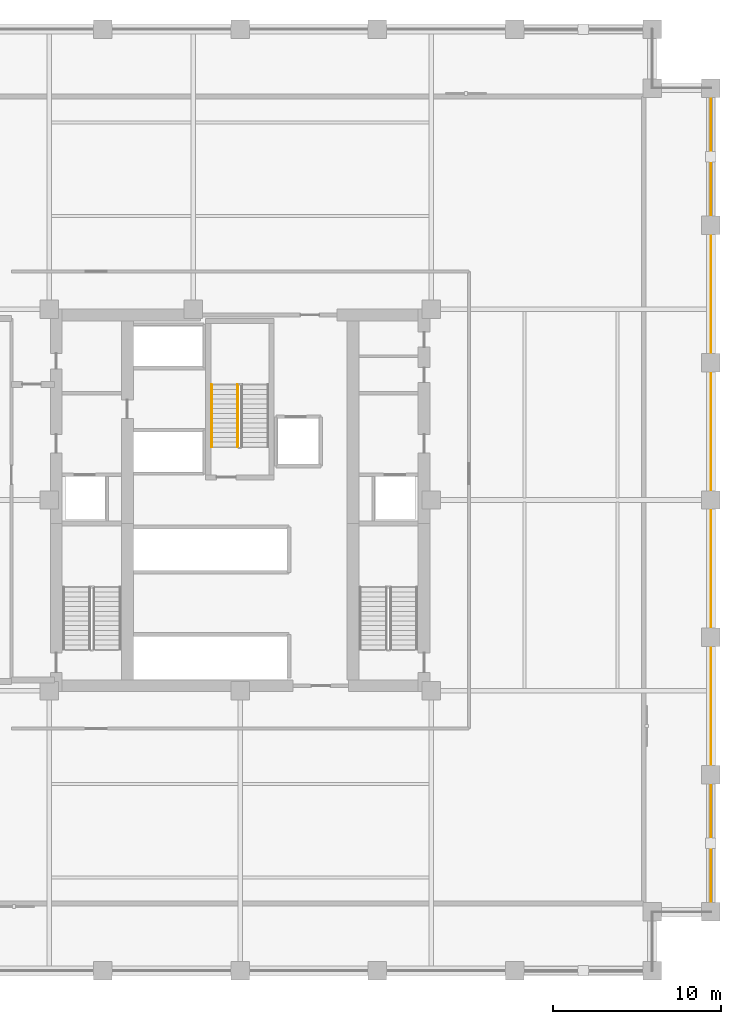
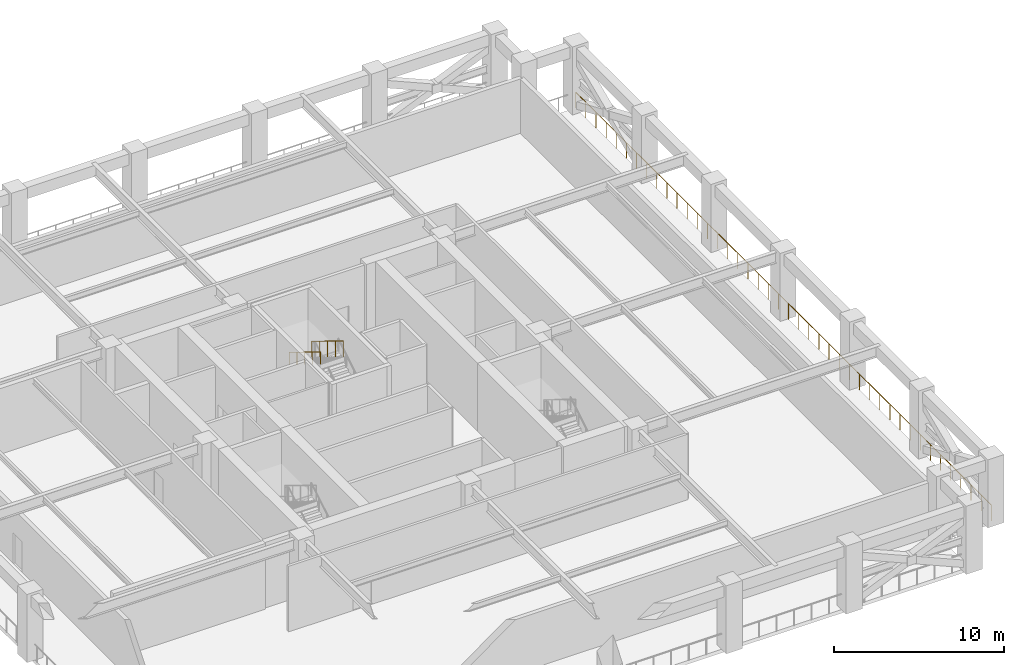
# One storey, part 9 of 11: 3 railings.
"""IFC4 building model written with IfcOpenShell, lengths in metres."""

from ifc_helpers import new_model, si_unit, direction, frame, origin, origin_2d, place, context, subcontext, project, spatial, circle, extrude, material, type_object, element, save


model = new_model("IFC4")

# Units and contexts
model_context = context("Model", 3, precision=1e-05, world=origin(), true_north=direction((0.0, 1.0)))
body_context = subcontext(model_context, "Body", "Model", "MODEL_VIEW")
ifc_project = project(units=[si_unit("LENGTHUNIT", "METRE"), si_unit("AREAUNIT", "SQUARE_METRE"), si_unit("VOLUMEUNIT", "CUBIC_METRE"), si_unit("PLANEANGLEUNIT", "RADIAN"), si_unit("MASSUNIT", "GRAM", prefix="KILO")], contexts=[model_context])

# Site, building, storey
site_placement = place(None, origin())
site = spatial("IfcSite", under=ifc_project, at=site_placement, CompositionType="ELEMENT")
building_placement = place(site_placement, origin())
building = spatial("IfcBuilding", under=site, at=building_placement, Name="Nhamokura Convention Tower", CompositionType="ELEMENT")
storey_placement = place(building_placement, frame((0.0, 0.0, 77.35009765625)))
storey = spatial("IfcBuildingStorey", under=building, at=storey_placement, Name="L18", CompositionType="ELEMENT", Elevation=77.35009765625)

# Railings
ifc_material_1 = material(Name="Anodised bronze stainless steel", Category="steel")
railing_type_1 = type_object("IfcRailingType", Name="StairWallHandrail_900", PredefinedType="HANDRAIL", material=ifc_material_1)
railing_1_placement = place(storey_placement, frame((30.300048828125, 38.85498046875, 2.625)))
element("IfcRailing", 1, at=railing_1_placement, inside=storey, type_object=railing_type_1, Name="L18 ST-03 stair handrail 2", PredefinedType="HANDRAIL", context=body_context, shape_type="SweptSolid", body=[
    extrude(circle(Radius=0.02392578125, at=origin_2d()), frame((0.0, 0.0, 0.8759765625), z_axis=(0.0, -0.85218616116, 0.523238709126), x_axis=(1.0, 0.0, 0.0)), (0.0, 0.0, 1.0), 4.34765625),
    extrude(circle(Radius=0.02099609375, at=origin_2d()), origin(), (0.0, 0.0, 1.0), 0.851806640625),
    extrude(circle(Radius=0.02099609375, at=origin_2d()), frame((0.0, -0.92626953125, 0.56884765625)), (0.0, 0.0, 1.0), 0.851806640625),
    extrude(circle(Radius=0.02099609375, at=origin_2d()), frame((0.0, -1.8525390625, 1.137451171875)), (0.0, 0.0, 1.0), 0.851806640625),
    extrude(circle(Radius=0.02099609375, at=origin_2d()), frame((0.0, -2.77880859375, 1.7060546875)), (0.0, 0.0, 1.0), 0.851806640625),
    extrude(circle(Radius=0.02099609375, at=origin_2d()), frame((0.0, -3.705078125, 2.27490234375)), (0.0, 0.0, 1.0), 0.851806640625),
])
ifc_material_2 = material(Name="Painted tubular steel", Category="steel")
railing_type_2 = type_object("IfcRailingType", Name="StairWellGuardrail_1150", PredefinedType="GUARDRAIL", material=ifc_material_2)
railing_2_placement = place(storey_placement, frame((31.85009765625, 38.85498046875, 2.625)))
element("IfcRailing", 2, at=railing_2_placement, inside=storey, type_object=railing_type_2, Name="L18 ST-03 stair guard 3", PredefinedType="GUARDRAIL", context=body_context, shape_type="SweptSolid", body=[
    extrude(circle(Radius=0.02392578125, at=origin_2d()), frame((0.0, 0.0, 1.1259765625), z_axis=(0.0, -0.85218616116, 0.523238709126), x_axis=(1.0, 0.0, 0.0)), (0.0, 0.0, 1.0), 4.34765625),
    extrude(circle(Radius=0.02099609375, at=origin_2d()), origin(), (0.0, 0.0, 1.0), 1.101806640625),
    extrude(circle(Radius=0.02099609375, at=origin_2d()), frame((0.0, -0.92626953125, 0.56884765625)), (0.0, 0.0, 1.0), 1.101806640625),
    extrude(circle(Radius=0.02099609375, at=origin_2d()), frame((0.0, -1.8525390625, 1.137451171875)), (0.0, 0.0, 1.0), 1.101806640625),
    extrude(circle(Radius=0.02099609375, at=origin_2d()), frame((0.0, -2.77880859375, 1.7060546875)), (0.0, 0.0, 1.0), 1.101806640625),
    extrude(circle(Radius=0.02099609375, at=origin_2d()), frame((0.0, -3.705078125, 2.27490234375)), (0.0, 0.0, 1.0), 1.101806640625),
])
ifc_material_3 = material(Name="Anodised bronze stainless steel", Category="steel")
railing_type_3 = type_object("IfcRailingType", Name="TerraceGuardrail_1150", PredefinedType="GUARDRAIL", material=ifc_material_3)
railing_3_placement = place(storey_placement, frame((60.0, 7.5, 0.0)))
element("IfcRailing", 3, at=railing_3_placement, inside=storey, type_object=railing_type_3, Name="L18 Perimeter Guardrail 04", PredefinedType="GUARDRAIL", context=body_context, shape_type="SweptSolid", body=[
    extrude(circle(Radius=0.02392578125, at=origin_2d()), frame((0.0, 0.0, 1.1259765625), z_axis=(0.0, 1.0, 0.0), x_axis=(-1.0, 0.0, 0.0)), (0.0, 0.0, 1.0), 49.0),
    extrude(circle(Radius=0.02099609375, at=origin_2d()), origin(), (0.0, 0.0, 1.0), 1.101806640625),
    extrude(circle(Radius=0.02099609375, at=origin_2d()), frame((0.0, 1.195068359375, 0.0)), (0.0, 0.0, 1.0), 1.101806640625),
    extrude(circle(Radius=0.02099609375, at=origin_2d()), frame((0.0, 2.39013671875, 0.0)), (0.0, 0.0, 1.0), 1.101806640625),
    extrude(circle(Radius=0.02099609375, at=origin_2d()), frame((0.0, 3.58544921875, 0.0)), (0.0, 0.0, 1.0), 1.101806640625),
    extrude(circle(Radius=0.02099609375, at=origin_2d()), frame((0.0, 4.780517578125, 0.0)), (0.0, 0.0, 1.0), 1.101806640625),
    extrude(circle(Radius=0.02099609375, at=origin_2d()), frame((0.0, 5.9755859375, 0.0)), (0.0, 0.0, 1.0), 1.101806640625),
    extrude(circle(Radius=0.02099609375, at=origin_2d()), frame((0.0, 7.170654296875, 0.0)), (0.0, 0.0, 1.0), 1.101806640625),
    extrude(circle(Radius=0.02099609375, at=origin_2d()), frame((0.0, 8.365966796875, 0.0)), (0.0, 0.0, 1.0), 1.101806640625),
    extrude(circle(Radius=0.02099609375, at=origin_2d()), frame((0.0, 9.56103515625, 0.0)), (0.0, 0.0, 1.0), 1.101806640625),
    extrude(circle(Radius=0.02099609375, at=origin_2d()), frame((0.0, 10.756103515625, 0.0)), (0.0, 0.0, 1.0), 1.101806640625),
    extrude(circle(Radius=0.02099609375, at=origin_2d()), frame((0.0, 11.951171875, 0.0)), (0.0, 0.0, 1.0), 1.101806640625),
    extrude(circle(Radius=0.02099609375, at=origin_2d()), frame((0.0, 13.146240234375, 0.0)), (0.0, 0.0, 1.0), 1.101806640625),
    extrude(circle(Radius=0.02099609375, at=origin_2d()), frame((0.0, 14.341552734375, 0.0)), (0.0, 0.0, 1.0), 1.101806640625),
    extrude(circle(Radius=0.02099609375, at=origin_2d()), frame((0.0, 15.53662109375, 0.0)), (0.0, 0.0, 1.0), 1.101806640625),
    extrude(circle(Radius=0.02099609375, at=origin_2d()), frame((0.0, 16.731689453125, 0.0)), (0.0, 0.0, 1.0), 1.101806640625),
    extrude(circle(Radius=0.02099609375, at=origin_2d()), frame((0.0, 17.9267578125, 0.0)), (0.0, 0.0, 1.0), 1.101806640625),
    extrude(circle(Radius=0.02099609375, at=origin_2d()), frame((0.0, 19.1220703125, 0.0)), (0.0, 0.0, 1.0), 1.101806640625),
    extrude(circle(Radius=0.02099609375, at=origin_2d()), frame((0.0, 20.317138671875, 0.0)), (0.0, 0.0, 1.0), 1.101806640625),
    extrude(circle(Radius=0.02099609375, at=origin_2d()), frame((0.0, 21.51220703125, 0.0)), (0.0, 0.0, 1.0), 1.101806640625),
    extrude(circle(Radius=0.02099609375, at=origin_2d()), frame((0.0, 22.707275390625, 0.0)), (0.0, 0.0, 1.0), 1.101806640625),
    extrude(circle(Radius=0.02099609375, at=origin_2d()), frame((0.0, 23.90234375, 0.0)), (0.0, 0.0, 1.0), 1.101806640625),
    extrude(circle(Radius=0.02099609375, at=origin_2d()), frame((0.0, 25.09765625, 0.0)), (0.0, 0.0, 1.0), 1.101806640625),
    extrude(circle(Radius=0.02099609375, at=origin_2d()), frame((0.0, 26.292724609375, 0.0)), (0.0, 0.0, 1.0), 1.101806640625),
    extrude(circle(Radius=0.02099609375, at=origin_2d()), frame((0.0, 27.48779296875, 0.0)), (0.0, 0.0, 1.0), 1.101806640625),
    extrude(circle(Radius=0.02099609375, at=origin_2d()), frame((0.0, 28.682861328125, 0.0)), (0.0, 0.0, 1.0), 1.101806640625),
    extrude(circle(Radius=0.02099609375, at=origin_2d()), frame((0.0, 29.8779296875, 0.0)), (0.0, 0.0, 1.0), 1.101806640625),
    extrude(circle(Radius=0.02099609375, at=origin_2d()), frame((0.0, 31.0732421875, 0.0)), (0.0, 0.0, 1.0), 1.101806640625),
    extrude(circle(Radius=0.02099609375, at=origin_2d()), frame((0.0, 32.268310546875, 0.0)), (0.0, 0.0, 1.0), 1.101806640625),
    extrude(circle(Radius=0.02099609375, at=origin_2d()), frame((0.0, 33.46337890625, 0.0)), (0.0, 0.0, 1.0), 1.101806640625),
    extrude(circle(Radius=0.02099609375, at=origin_2d()), frame((0.0, 34.658447265625, 0.0)), (0.0, 0.0, 1.0), 1.101806640625),
    extrude(circle(Radius=0.02099609375, at=origin_2d()), frame((0.0, 35.853759765625, 0.0)), (0.0, 0.0, 1.0), 1.101806640625),
    extrude(circle(Radius=0.02099609375, at=origin_2d()), frame((0.0, 37.048828125, 0.0)), (0.0, 0.0, 1.0), 1.101806640625),
    extrude(circle(Radius=0.02099609375, at=origin_2d()), frame((0.0, 38.243896484375, 0.0)), (0.0, 0.0, 1.0), 1.101806640625),
    extrude(circle(Radius=0.02099609375, at=origin_2d()), frame((0.0, 39.43896484375, 0.0)), (0.0, 0.0, 1.0), 1.101806640625),
    extrude(circle(Radius=0.02099609375, at=origin_2d()), frame((0.0, 40.634033203125, 0.0)), (0.0, 0.0, 1.0), 1.101806640625),
    extrude(circle(Radius=0.02099609375, at=origin_2d()), frame((0.0, 41.829345703125, 0.0)), (0.0, 0.0, 1.0), 1.101806640625),
    extrude(circle(Radius=0.02099609375, at=origin_2d()), frame((0.0, 43.0244140625, 0.0)), (0.0, 0.0, 1.0), 1.101806640625),
    extrude(circle(Radius=0.02099609375, at=origin_2d()), frame((0.0, 44.219482421875, 0.0)), (0.0, 0.0, 1.0), 1.101806640625),
    extrude(circle(Radius=0.02099609375, at=origin_2d()), frame((0.0, 45.41455078125, 0.0)), (0.0, 0.0, 1.0), 1.101806640625),
    extrude(circle(Radius=0.02099609375, at=origin_2d()), frame((0.0, 46.60986328125, 0.0)), (0.0, 0.0, 1.0), 1.101806640625),
    extrude(circle(Radius=0.02099609375, at=origin_2d()), frame((0.0, 47.804931640625, 0.0)), (0.0, 0.0, 1.0), 1.101806640625),
    extrude(circle(Radius=0.02099609375, at=origin_2d()), frame((0.0, 49.0, 0.0)), (0.0, 0.0, 1.0), 1.101806640625),
])

save(model, "model.ifc")
